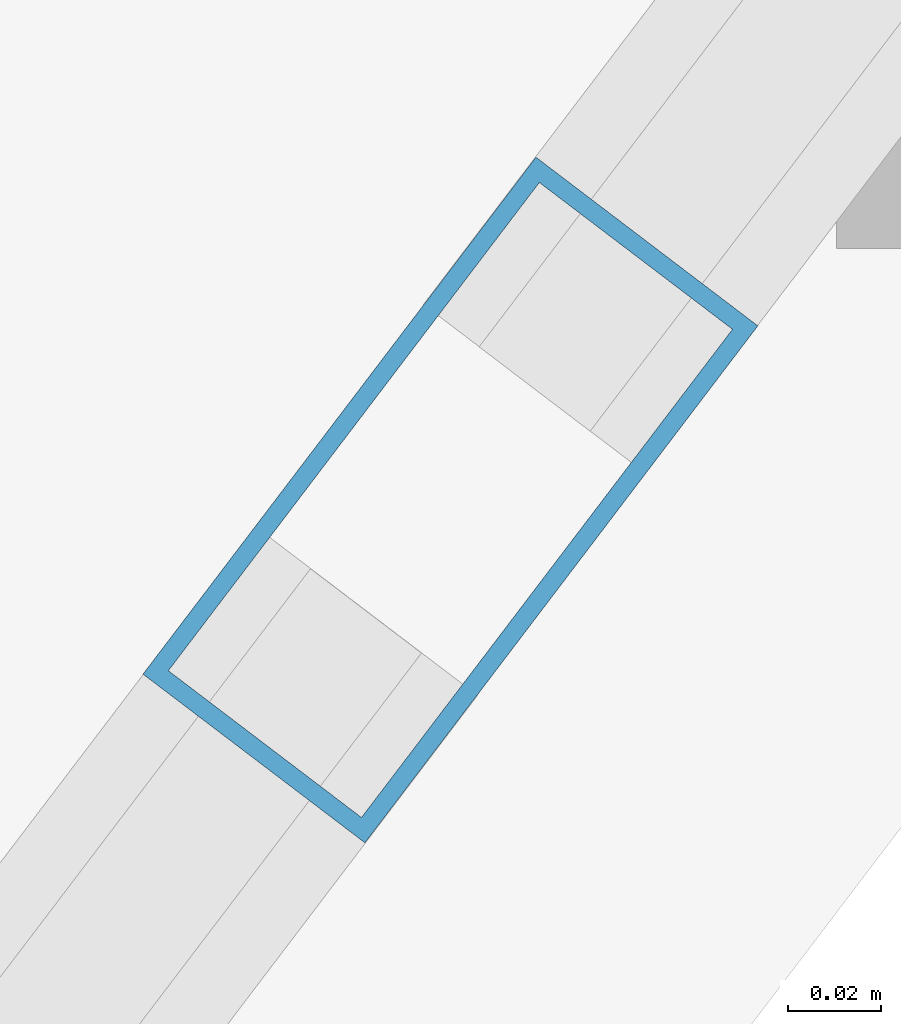
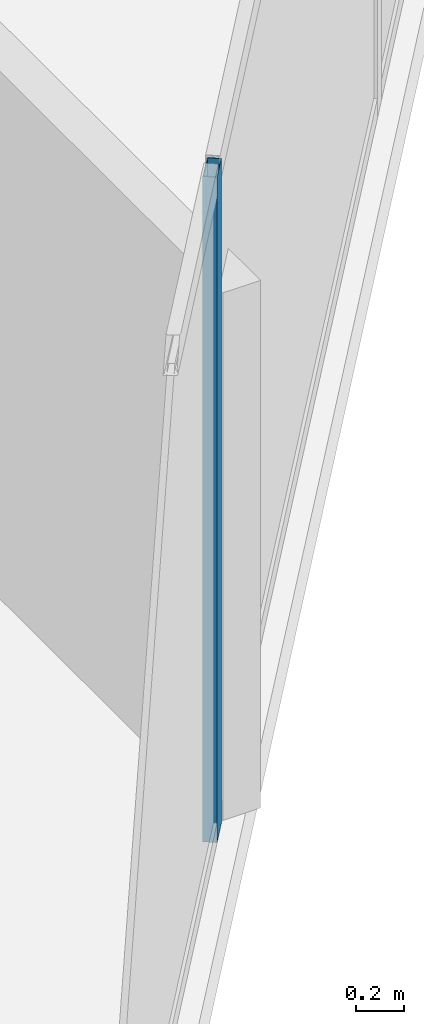
# One storey, part 4 of 20: 1 member, 1 element without a shape of its own.
"""IFC4 building model written with IfcOpenShell, lengths in metres."""

from ifc_helpers import new_model, si_unit, direction, frame, origin, origin_2d, place, context, subcontext, project, spatial, hollow_rectangle, extrude, material, layer, layer_set, material_profile, profile_set, type_object, element, aggregate, save


model = new_model("IFC4")

# Units and contexts
model_context = context("Model", 3, precision=1e-05, world=origin(), true_north=direction((0.0, 1.0)))
body_context = subcontext(model_context, "Body", "Model", "MODEL_VIEW")
ifc_project = project(units=[si_unit("LENGTHUNIT", "METRE"), si_unit("AREAUNIT", "SQUARE_METRE"), si_unit("VOLUMEUNIT", "CUBIC_METRE"), si_unit("PLANEANGLEUNIT", "RADIAN"), si_unit("MASSUNIT", "GRAM", prefix="KILO")], contexts=[model_context])

# Site, building, storey
site_placement = place(None, origin())
site = spatial("IfcSite", under=ifc_project, at=site_placement, CompositionType="ELEMENT")
building_placement = place(site_placement, origin())
building = spatial("IfcBuilding", under=site, at=building_placement, Name="Kravanh Interchange Tower", CompositionType="ELEMENT")
storey_placement = place(building_placement, frame((0.0, 0.0, 252.60009765625)))
storey = spatial("IfcBuildingStorey", under=building, at=storey_placement, Name="L61", CompositionType="ELEMENT", Elevation=252.60009765625)

# Curtain wall, member
ifc_material_1 = material(Name="Anodised Bronze Aluminium", Category="aluminium")
ifc_layer = layer(ifc_material_1, 0.179931640625)
ifc_layer_set = layer_set([ifc_layer], Name="Unitised Curtain Wall System CW-HTL Luxury Hotel")
curtain_wall_type = type_object("IfcCurtainWallType", Name="Unitised Curtain Wall System CW-HTL Luxury Hotel", PredefinedType="NOTDEFINED", material=ifc_layer_set)
curtain_wall_placement = place(storey_placement, origin())
curtain_wall = element("IfcCurtainWall", 1, at=curtain_wall_placement, inside=storey, type_object=curtain_wall_type, Name="L61 Unitised Curtain Wall CW-L61-05", PredefinedType="NOTDEFINED")
ifc_material_2 = material(Name="Anodised Bronze Aluminium", Category="aluminium")
ifc_material_profile = material_profile(ifc_material_2, hollow_rectangle(XDim=0.06005859375, YDim=0.139892578125, WallThickness=0.00390625, at=origin_2d()), Name="ALU60X140X4")
ifc_profile_set = profile_set([ifc_material_profile], Name="Anodised Bronze Aluminium")
member_type = type_object("IfcMemberType", Name="Curtain Wall Mullion ALU60X140X4 Bronze", PredefinedType="MULLION", material=ifc_profile_set)
member_placement = place(storey_placement, frame((38.427001953125, 22.11279296875, 0.0), z_axis=(0.0, 0.0, 1.0), x_axis=(0.79616243806, -0.605082946564, 0.0)))
member = element("IfcMember", 2, at=member_placement, type_object=member_type, Name="CW-HTL mullion 3", PredefinedType="MULLION", context=body_context, shape_type="SweptSolid", body=[
    extrude(hollow_rectangle(XDim=0.06005859375, YDim=0.139892578125, WallThickness=0.00390625, at=origin_2d()), origin(), (0.0, 0.0, 1.0), 3.35986328125),
])
aggregate(curtain_wall, [member])

save(model, "model.ifc")
